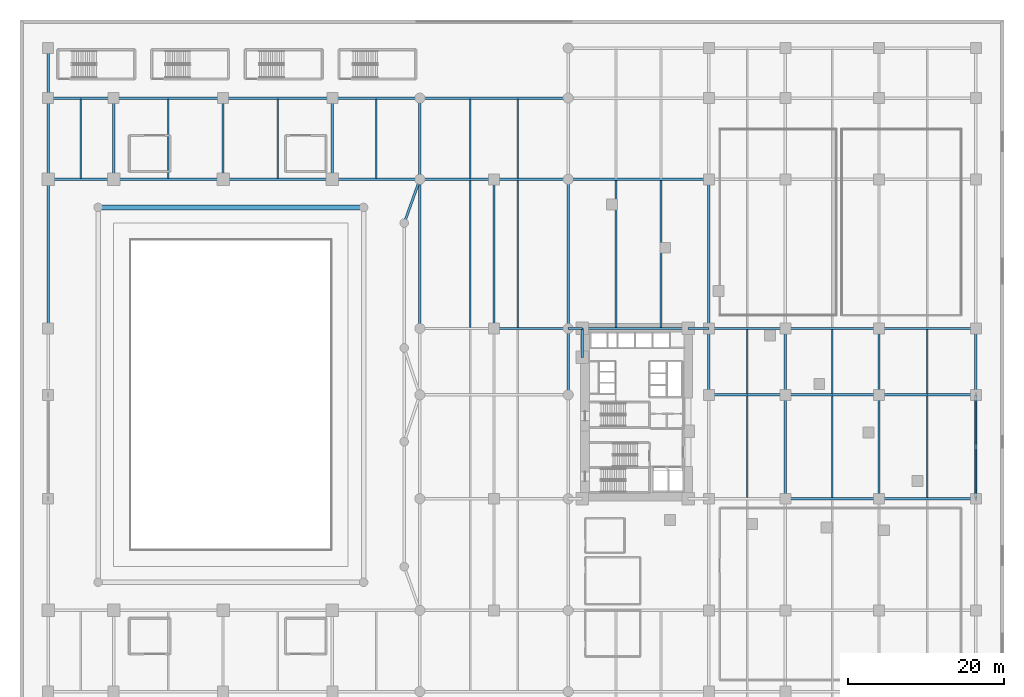
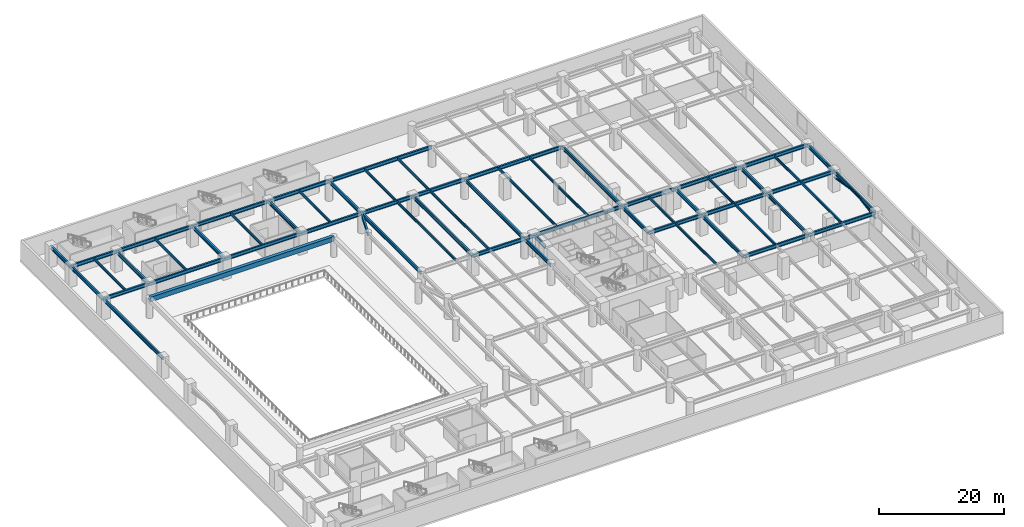
# One storey, part 3 of 25: 62 beams, 2 members.
"""IFC4 building model written with IfcOpenShell, lengths in metres."""

from ifc_helpers import new_model, si_unit, direction, frame, origin, origin_2d, place, context, subcontext, project, spatial, rectangle, hollow_circle, i_section, extrude, material, material_profile, profile_set, type_object, element, save


model = new_model("IFC4")

# Units and contexts
model_context = context("Model", 3, precision=1e-05, world=origin(), true_north=direction((0.0, 1.0)))
body_context = subcontext(model_context, "Body", "Model", "MODEL_VIEW")
ifc_project = project(units=[si_unit("LENGTHUNIT", "METRE"), si_unit("AREAUNIT", "SQUARE_METRE"), si_unit("VOLUMEUNIT", "CUBIC_METRE"), si_unit("PLANEANGLEUNIT", "RADIAN"), si_unit("MASSUNIT", "GRAM", prefix="KILO")], contexts=[model_context])

# Site, building, storey
site_placement = place(None, origin())
site = spatial("IfcSite", under=ifc_project, at=site_placement, CompositionType="ELEMENT")
building_placement = place(site_placement, origin())
building = spatial("IfcBuilding", under=site, at=building_placement, Name="Narakoshi Arena Tower", CompositionType="ELEMENT")
storey_placement = place(building_placement, frame((0.0, 0.0, 9.0)))
storey = spatial("IfcBuildingStorey", under=building, at=storey_placement, Name="L02", CompositionType="ELEMENT", Elevation=9.0)

# Beams
ifc_material_1 = material(Name="Structural steel S355J2", Category="steel")
ifc_material_profile_1 = material_profile(ifc_material_1, i_section(OverallWidth=0.300048828125, OverallDepth=0.699951171875, WebThickness=0.01708984375, FlangeThickness=0.031982421875, FilletRadius=0.027099609375, at=origin_2d()), Name="HE700B")
ifc_profile_set_1 = profile_set([ifc_material_profile_1], Name="Structural steel S355J2")
beam_type_1 = type_object("IfcBeamType", Name="BM-PRI-700", PredefinedType="BEAM", material=ifc_profile_set_1)
beam_1_placement = place(storey_placement, frame((49.199951171875, 70.0, 3.530029296875), z_axis=(0.336331195321, 0.94174376932, 0.0), x_axis=(-0.94174376932, 0.336331195321, 0.0)))
element("IfcBeam", 1, at=beam_1_placement, inside=storey, type_object=beam_type_1, Name="L02 Arena Foyer Tie Beam 04", PredefinedType="BEAM", context=body_context, shape_type="SweptSolid", body=[
    extrude(i_section(OverallWidth=0.300048828125, OverallDepth=0.699951171875, WebThickness=0.01708984375, FlangeThickness=0.031982421875, FilletRadius=0.027099609375, at=origin_2d()), origin(), (0.0, 0.0, 1.0), 5.946533203125),
])
beam_2_placement = place(storey_placement, frame((98.0, 34.699951171875, 3.530029296875), z_axis=(1.0, 0.0, 0.0), x_axis=(0.0, 1.0, 0.0)))
element("IfcBeam", 2, at=beam_2_placement, inside=storey, type_object=beam_type_1, Name="L02 Podium Primary X-Girder 029", PredefinedType="BEAM", context=body_context, shape_type="SweptSolid", body=[
    extrude(i_section(OverallWidth=0.300048828125, OverallDepth=0.699951171875, WebThickness=0.01708984375, FlangeThickness=0.031982421875, FilletRadius=0.027099609375, at=origin_2d()), origin(), (0.0, 0.0, 1.0), 12.0),
])
beam_3_placement = place(storey_placement, frame((110.0, 34.699951171875, 3.530029296875), z_axis=(1.0, 0.0, 0.0), x_axis=(0.0, 1.0, 0.0)))
element("IfcBeam", 3, at=beam_3_placement, inside=storey, type_object=beam_type_1, Name="L02 Podium Primary X-Girder 030", PredefinedType="BEAM", context=body_context, shape_type="SweptSolid", body=[
    extrude(i_section(OverallWidth=0.300048828125, OverallDepth=0.699951171875, WebThickness=0.01708984375, FlangeThickness=0.031982421875, FilletRadius=0.027099609375, at=origin_2d()), origin(), (0.0, 0.0, 1.0), 12.39990234375),
])
beam_4_placement = place(storey_placement, frame((88.199951171875, 48.0, 3.530029296875), z_axis=(1.0, 0.0, 0.0), x_axis=(0.0, 1.0, 0.0)))
element("IfcBeam", 4, at=beam_4_placement, inside=storey, type_object=beam_type_1, Name="L02 Podium Primary X-Girder 032", PredefinedType="BEAM", context=body_context, shape_type="SweptSolid", body=[
    extrude(i_section(OverallWidth=0.300048828125, OverallDepth=0.699951171875, WebThickness=0.01708984375, FlangeThickness=0.031982421875, FilletRadius=0.027099609375, at=origin_2d()), origin(), (0.0, 0.0, 1.0), 9.800048828125),
])
beam_5_placement = place(storey_placement, frame((98.0, 48.0, 3.530029296875), z_axis=(1.0, 0.0, 0.0), x_axis=(0.0, 1.0, 0.0)))
element("IfcBeam", 5, at=beam_5_placement, inside=storey, type_object=beam_type_1, Name="L02 Podium Primary X-Girder 033", PredefinedType="BEAM", context=body_context, shape_type="SweptSolid", body=[
    extrude(i_section(OverallWidth=0.300048828125, OverallDepth=0.699951171875, WebThickness=0.01708984375, FlangeThickness=0.031982421875, FilletRadius=0.027099609375, at=origin_2d()), origin(), (0.0, 0.0, 1.0), 12.0),
])
beam_6_placement = place(storey_placement, frame((110.0, 48.0, 3.530029296875), z_axis=(1.0, 0.0, 0.0), x_axis=(0.0, 1.0, 0.0)))
element("IfcBeam", 6, at=beam_6_placement, inside=storey, type_object=beam_type_1, Name="L02 Podium Primary X-Girder 034", PredefinedType="BEAM", context=body_context, shape_type="SweptSolid", body=[
    extrude(i_section(OverallWidth=0.300048828125, OverallDepth=0.699951171875, WebThickness=0.01708984375, FlangeThickness=0.031982421875, FilletRadius=0.027099609375, at=origin_2d()), origin(), (0.0, 0.0, 1.0), 12.39990234375),
])
beam_7_placement = place(storey_placement, frame((60.699951171875, 56.5, 3.530029296875), z_axis=(1.0, 0.0, 0.0), x_axis=(0.0, 1.0, 0.0)))
element("IfcBeam", 7, at=beam_7_placement, inside=storey, type_object=beam_type_1, Name="L02 Podium Primary X-Girder 036", PredefinedType="BEAM", context=body_context, shape_type="SweptSolid", body=[
    extrude(i_section(OverallWidth=0.300048828125, OverallDepth=0.699951171875, WebThickness=0.01708984375, FlangeThickness=0.031982421875, FilletRadius=0.027099609375, at=origin_2d()), origin(), (0.0, 0.0, 1.0), 9.5),
])
beam_8_placement = place(storey_placement, frame((70.199951171875, 56.5, 3.530029296875), z_axis=(1.0, 0.0, 0.0), x_axis=(0.0, 1.0, 0.0)))
element("IfcBeam", 8, at=beam_8_placement, inside=storey, type_object=beam_type_1, Name="L02 Podium Primary X-Girder 037", PredefinedType="BEAM", context=body_context, shape_type="SweptSolid", body=[
    extrude(i_section(OverallWidth=0.300048828125, OverallDepth=0.699951171875, WebThickness=0.01708984375, FlangeThickness=0.031982421875, FilletRadius=0.027099609375, at=origin_2d()), origin(), (0.0, 0.0, 1.0), 1.800048828125),
])
beam_9_placement = place(storey_placement, frame((72.0, 56.5, 3.530029296875), z_axis=(1.0, 0.0, 0.0), x_axis=(0.0, 1.0, 0.0)))
element("IfcBeam", 9, at=beam_9_placement, inside=storey, type_object=beam_type_1, Name="L02 Podium Primary X-Girder 038", PredefinedType="BEAM", context=body_context, shape_type="SweptSolid", body=[
    extrude(i_section(OverallWidth=0.300048828125, OverallDepth=0.699951171875, WebThickness=0.01708984375, FlangeThickness=0.031982421875, FilletRadius=0.027099609375, at=origin_2d()), origin(), (0.0, 0.0, 1.0), 13.550048828125),
])
beam_10_placement = place(storey_placement, frame((85.550048828125, 56.5, 3.530029296875), z_axis=(1.0, 0.0, 0.0), x_axis=(0.0, 1.0, 0.0)))
element("IfcBeam", 10, at=beam_10_placement, inside=storey, type_object=beam_type_1, Name="L02 Podium Primary X-Girder 039", PredefinedType="BEAM", context=body_context, shape_type="SweptSolid", body=[
    extrude(i_section(OverallWidth=0.300048828125, OverallDepth=0.699951171875, WebThickness=0.01708984375, FlangeThickness=0.031982421875, FilletRadius=0.027099609375, at=origin_2d()), origin(), (0.0, 0.0, 1.0), 2.64990234375),
])
beam_11_placement = place(storey_placement, frame((88.199951171875, 56.5, 3.530029296875), z_axis=(1.0, 0.0, 0.0), x_axis=(0.0, 1.0, 0.0)))
element("IfcBeam", 11, at=beam_11_placement, inside=storey, type_object=beam_type_1, Name="L02 Podium Primary X-Girder 040", PredefinedType="BEAM", context=body_context, shape_type="SweptSolid", body=[
    extrude(i_section(OverallWidth=0.300048828125, OverallDepth=0.699951171875, WebThickness=0.01708984375, FlangeThickness=0.031982421875, FilletRadius=0.027099609375, at=origin_2d()), origin(), (0.0, 0.0, 1.0), 9.800048828125),
])
beam_12_placement = place(storey_placement, frame((98.0, 56.5, 3.530029296875), z_axis=(1.0, 0.0, 0.0), x_axis=(0.0, 1.0, 0.0)))
element("IfcBeam", 12, at=beam_12_placement, inside=storey, type_object=beam_type_1, Name="L02 Podium Primary X-Girder 041", PredefinedType="BEAM", context=body_context, shape_type="SweptSolid", body=[
    extrude(i_section(OverallWidth=0.300048828125, OverallDepth=0.699951171875, WebThickness=0.01708984375, FlangeThickness=0.031982421875, FilletRadius=0.027099609375, at=origin_2d()), origin(), (0.0, 0.0, 1.0), 12.0),
])
beam_13_placement = place(storey_placement, frame((110.0, 56.5, 3.530029296875), z_axis=(1.0, 0.0, 0.0), x_axis=(0.0, 1.0, 0.0)))
element("IfcBeam", 13, at=beam_13_placement, inside=storey, type_object=beam_type_1, Name="L02 Podium Primary X-Girder 042", PredefinedType="BEAM", context=body_context, shape_type="SweptSolid", body=[
    extrude(i_section(OverallWidth=0.300048828125, OverallDepth=0.699951171875, WebThickness=0.01708984375, FlangeThickness=0.031982421875, FilletRadius=0.027099609375, at=origin_2d()), origin(), (0.0, 0.0, 1.0), 12.39990234375),
])
beam_14_placement = place(storey_placement, frame((3.60009765625, 75.60009765625, 3.530029296875), z_axis=(1.0, 0.0, 0.0), x_axis=(0.0, 1.0, 0.0)))
element("IfcBeam", 14, at=beam_14_placement, inside=storey, type_object=beam_type_1, Name="L02 Podium Primary X-Girder 043", PredefinedType="BEAM", context=body_context, shape_type="SweptSolid", body=[
    extrude(i_section(OverallWidth=0.300048828125, OverallDepth=0.699951171875, WebThickness=0.01708984375, FlangeThickness=0.031982421875, FilletRadius=0.027099609375, at=origin_2d()), origin(), (0.0, 0.0, 1.0), 8.39990234375),
])
for number, where, z_axis, x_axis, name in (
    (15, (12.0, 75.60009765625, 3.530029296875), (1.0, 0.0, 0.0), (0.0, 1.0, 0.0), "L02 Podium Primary X-Girder 044"),
    (16, (26.0, 75.60009765625, 3.530029296875), (1.0, 0.0, 0.0), (0.0, 1.0, 0.0), "L02 Podium Primary X-Girder 045"),
):
    element("IfcBeam", number, at=place(storey_placement, frame(where, z_axis=z_axis, x_axis=x_axis)), inside=storey, type_object=beam_type_1, Name=name, PredefinedType="BEAM", context=body_context, shape_type="SweptSolid", body=[
        extrude(i_section(OverallWidth=0.300048828125, OverallDepth=0.699951171875, WebThickness=0.01708984375, FlangeThickness=0.031982421875, FilletRadius=0.027099609375, at=origin_2d()), origin(), (0.0, 0.0, 1.0), 14.0),
    ])
beam_15_placement = place(storey_placement, frame((40.0, 75.60009765625, 3.530029296875), z_axis=(1.0, 0.0, 0.0), x_axis=(0.0, 1.0, 0.0)))
element("IfcBeam", 17, at=beam_15_placement, inside=storey, type_object=beam_type_1, Name="L02 Podium Primary X-Girder 046", PredefinedType="BEAM", context=body_context, shape_type="SweptSolid", body=[
    extrude(i_section(OverallWidth=0.300048828125, OverallDepth=0.699951171875, WebThickness=0.01708984375, FlangeThickness=0.031982421875, FilletRadius=0.027099609375, at=origin_2d()), origin(), (0.0, 0.0, 1.0), 11.199951171875),
])
for number, where, z_axis, x_axis, name in (
    (18, (51.199951171875, 75.60009765625, 3.530029296875), (1.0, 0.0, 0.0), (0.0, 1.0, 0.0), "L02 Podium Primary X-Girder 047"),
    (19, (60.699951171875, 75.60009765625, 3.530029296875), (1.0, 0.0, 0.0), (0.0, 1.0, 0.0), "L02 Podium Primary X-Girder 048"),
):
    element("IfcBeam", number, at=place(storey_placement, frame(where, z_axis=z_axis, x_axis=x_axis)), inside=storey, type_object=beam_type_1, Name=name, PredefinedType="BEAM", context=body_context, shape_type="SweptSolid", body=[
        extrude(i_section(OverallWidth=0.300048828125, OverallDepth=0.699951171875, WebThickness=0.01708984375, FlangeThickness=0.031982421875, FilletRadius=0.027099609375, at=origin_2d()), origin(), (0.0, 0.0, 1.0), 9.5),
    ])
beam_16_placement = place(storey_placement, frame((70.199951171875, 75.60009765625, 3.530029296875), z_axis=(1.0, 0.0, 0.0), x_axis=(0.0, 1.0, 0.0)))
element("IfcBeam", 20, at=beam_16_placement, inside=storey, type_object=beam_type_1, Name="L02 Podium Primary X-Girder 049", PredefinedType="BEAM", context=body_context, shape_type="SweptSolid", body=[
    extrude(i_section(OverallWidth=0.300048828125, OverallDepth=0.699951171875, WebThickness=0.01708984375, FlangeThickness=0.031982421875, FilletRadius=0.027099609375, at=origin_2d()), origin(), (0.0, 0.0, 1.0), 18.0),
])
beam_17_placement = place(storey_placement, frame((3.60009765625, 86.0, 3.530029296875), z_axis=(1.0, 0.0, 0.0), x_axis=(0.0, 1.0, 0.0)))
element("IfcBeam", 21, at=beam_17_placement, inside=storey, type_object=beam_type_1, Name="L02 Podium Primary X-Girder 053", PredefinedType="BEAM", context=body_context, shape_type="SweptSolid", body=[
    extrude(i_section(OverallWidth=0.300048828125, OverallDepth=0.699951171875, WebThickness=0.01708984375, FlangeThickness=0.031982421875, FilletRadius=0.027099609375, at=origin_2d()), origin(), (0.0, 0.0, 1.0), 8.39990234375),
])
for number, where, z_axis, x_axis, name in (
    (22, (12.0, 86.0, 3.530029296875), (1.0, 0.0, 0.0), (0.0, 1.0, 0.0), "L02 Podium Primary X-Girder 054"),
    (23, (26.0, 86.0, 3.530029296875), (1.0, 0.0, 0.0), (0.0, 1.0, 0.0), "L02 Podium Primary X-Girder 055"),
):
    element("IfcBeam", number, at=place(storey_placement, frame(where, z_axis=z_axis, x_axis=x_axis)), inside=storey, type_object=beam_type_1, Name=name, PredefinedType="BEAM", context=body_context, shape_type="SweptSolid", body=[
        extrude(i_section(OverallWidth=0.300048828125, OverallDepth=0.699951171875, WebThickness=0.01708984375, FlangeThickness=0.031982421875, FilletRadius=0.027099609375, at=origin_2d()), origin(), (0.0, 0.0, 1.0), 14.0),
    ])
beam_18_placement = place(storey_placement, frame((40.0, 86.0, 3.530029296875), z_axis=(1.0, 0.0, 0.0), x_axis=(0.0, 1.0, 0.0)))
element("IfcBeam", 24, at=beam_18_placement, inside=storey, type_object=beam_type_1, Name="L02 Podium Primary X-Girder 056", PredefinedType="BEAM", context=body_context, shape_type="SweptSolid", body=[
    extrude(i_section(OverallWidth=0.300048828125, OverallDepth=0.699951171875, WebThickness=0.01708984375, FlangeThickness=0.031982421875, FilletRadius=0.027099609375, at=origin_2d()), origin(), (0.0, 0.0, 1.0), 11.199951171875),
])
beam_19_placement = place(storey_placement, frame((51.199951171875, 86.0, 3.530029296875), z_axis=(1.0, 0.0, 0.0), x_axis=(0.0, 1.0, 0.0)))
element("IfcBeam", 25, at=beam_19_placement, inside=storey, type_object=beam_type_1, Name="L02 Podium Primary X-Girder 057", PredefinedType="BEAM", context=body_context, shape_type="SweptSolid", body=[
    extrude(i_section(OverallWidth=0.300048828125, OverallDepth=0.699951171875, WebThickness=0.01708984375, FlangeThickness=0.031982421875, FilletRadius=0.027099609375, at=origin_2d()), origin(), (0.0, 0.0, 1.0), 19.0),
])
beam_20_placement = place(storey_placement, frame((3.60009765625, 56.5, 3.530029296875), z_axis=(0.0, 1.0, 0.0), x_axis=(-1.0, 0.0, 0.0)))
element("IfcBeam", 26, at=beam_20_placement, inside=storey, type_object=beam_type_1, Name="L02 Podium Primary Y-Girder 071", PredefinedType="BEAM", context=body_context, shape_type="SweptSolid", body=[
    extrude(i_section(OverallWidth=0.300048828125, OverallDepth=0.699951171875, WebThickness=0.01708984375, FlangeThickness=0.031982421875, FilletRadius=0.027099609375, at=origin_2d()), origin(), (0.0, 0.0, 1.0), 19.10009765625),
])
beam_21_placement = place(storey_placement, frame((3.60009765625, 75.60009765625, 3.530029296875), z_axis=(0.0, 1.0, 0.0), x_axis=(-1.0, 0.0, 0.0)))
element("IfcBeam", 27, at=beam_21_placement, inside=storey, type_object=beam_type_1, Name="L02 Podium Primary Y-Girder 072", PredefinedType="BEAM", context=body_context, shape_type="SweptSolid", body=[
    extrude(i_section(OverallWidth=0.300048828125, OverallDepth=0.699951171875, WebThickness=0.01708984375, FlangeThickness=0.031982421875, FilletRadius=0.027099609375, at=origin_2d()), origin(), (0.0, 0.0, 1.0), 10.39990234375),
])
beam_22_placement = place(storey_placement, frame((3.60009765625, 86.0, 3.530029296875), z_axis=(0.0, 1.0, 0.0), x_axis=(-1.0, 0.0, 0.0)))
element("IfcBeam", 28, at=beam_22_placement, inside=storey, type_object=beam_type_1, Name="L02 Podium Primary Y-Girder 073", PredefinedType="BEAM", context=body_context, shape_type="SweptSolid", body=[
    extrude(i_section(OverallWidth=0.300048828125, OverallDepth=0.699951171875, WebThickness=0.01708984375, FlangeThickness=0.031982421875, FilletRadius=0.027099609375, at=origin_2d()), origin(), (0.0, 0.0, 1.0), 6.39990234375),
])
for number, where, z_axis, x_axis, name in (
    (29, (12.0, 75.60009765625, 3.530029296875), (0.0, 1.0, 0.0), (-1.0, 0.0, 0.0), "L02 Podium Primary Y-Girder 075"),
    (30, (26.0, 75.60009765625, 3.530029296875), (0.0, 1.0, 0.0), (-1.0, 0.0, 0.0), "L02 Podium Primary Y-Girder 077"),
    (31, (40.0, 75.60009765625, 3.530029296875), (0.0, 1.0, 0.0), (-1.0, 0.0, 0.0), "L02 Podium Primary Y-Girder 079"),
):
    element("IfcBeam", number, at=place(storey_placement, frame(where, z_axis=z_axis, x_axis=x_axis)), inside=storey, type_object=beam_type_1, Name=name, PredefinedType="BEAM", context=body_context, shape_type="SweptSolid", body=[
        extrude(i_section(OverallWidth=0.300048828125, OverallDepth=0.699951171875, WebThickness=0.01708984375, FlangeThickness=0.031982421875, FilletRadius=0.027099609375, at=origin_2d()), origin(), (0.0, 0.0, 1.0), 10.39990234375),
    ])
beam_23_placement = place(storey_placement, frame((51.199951171875, 56.5, 3.530029296875), z_axis=(0.0, 1.0, 0.0), x_axis=(-1.0, 0.0, 0.0)))
element("IfcBeam", 32, at=beam_23_placement, inside=storey, type_object=beam_type_1, Name="L02 Podium Primary Y-Girder 084", PredefinedType="BEAM", context=body_context, shape_type="SweptSolid", body=[
    extrude(i_section(OverallWidth=0.300048828125, OverallDepth=0.699951171875, WebThickness=0.01708984375, FlangeThickness=0.031982421875, FilletRadius=0.027099609375, at=origin_2d()), origin(), (0.0, 0.0, 1.0), 19.10009765625),
])
beam_24_placement = place(storey_placement, frame((51.199951171875, 75.60009765625, 3.530029296875), z_axis=(0.0, 1.0, 0.0), x_axis=(-1.0, 0.0, 0.0)))
element("IfcBeam", 33, at=beam_24_placement, inside=storey, type_object=beam_type_1, Name="L02 Podium Primary Y-Girder 085", PredefinedType="BEAM", context=body_context, shape_type="SweptSolid", body=[
    extrude(i_section(OverallWidth=0.300048828125, OverallDepth=0.699951171875, WebThickness=0.01708984375, FlangeThickness=0.031982421875, FilletRadius=0.027099609375, at=origin_2d()), origin(), (0.0, 0.0, 1.0), 10.39990234375),
])
beam_25_placement = place(storey_placement, frame((60.699951171875, 56.5, 3.530029296875), z_axis=(0.0, 1.0, 0.0), x_axis=(-1.0, 0.0, 0.0)))
element("IfcBeam", 34, at=beam_25_placement, inside=storey, type_object=beam_type_1, Name="L02 Podium Primary Y-Girder 088", PredefinedType="BEAM", context=body_context, shape_type="SweptSolid", body=[
    extrude(i_section(OverallWidth=0.300048828125, OverallDepth=0.699951171875, WebThickness=0.01708984375, FlangeThickness=0.031982421875, FilletRadius=0.027099609375, at=origin_2d()), origin(), (0.0, 0.0, 1.0), 19.10009765625),
])
beam_26_placement = place(storey_placement, frame((70.199951171875, 48.0, 3.530029296875), z_axis=(0.0, 1.0, 0.0), x_axis=(-1.0, 0.0, 0.0)))
element("IfcBeam", 35, at=beam_26_placement, inside=storey, type_object=beam_type_1, Name="L02 Podium Primary Y-Girder 093", PredefinedType="BEAM", context=body_context, shape_type="SweptSolid", body=[
    extrude(i_section(OverallWidth=0.300048828125, OverallDepth=0.699951171875, WebThickness=0.01708984375, FlangeThickness=0.031982421875, FilletRadius=0.027099609375, at=origin_2d()), origin(), (0.0, 0.0, 1.0), 8.5),
])
beam_27_placement = place(storey_placement, frame((70.199951171875, 56.5, 3.530029296875), z_axis=(0.0, 1.0, 0.0), x_axis=(-1.0, 0.0, 0.0)))
element("IfcBeam", 36, at=beam_27_placement, inside=storey, type_object=beam_type_1, Name="L02 Podium Primary Y-Girder 094", PredefinedType="BEAM", context=body_context, shape_type="SweptSolid", body=[
    extrude(i_section(OverallWidth=0.300048828125, OverallDepth=0.699951171875, WebThickness=0.01708984375, FlangeThickness=0.031982421875, FilletRadius=0.027099609375, at=origin_2d()), origin(), (0.0, 0.0, 1.0), 19.10009765625),
])
beam_28_placement = place(storey_placement, frame((72.0, 52.800048828125, 3.530029296875), z_axis=(0.0, 1.0, 0.0), x_axis=(-1.0, 0.0, 0.0)))
element("IfcBeam", 37, at=beam_28_placement, inside=storey, type_object=beam_type_1, Name="L02 Podium Primary Y-Girder 097", PredefinedType="BEAM", context=body_context, shape_type="SweptSolid", body=[
    extrude(i_section(OverallWidth=0.300048828125, OverallDepth=0.699951171875, WebThickness=0.01708984375, FlangeThickness=0.031982421875, FilletRadius=0.027099609375, at=origin_2d()), origin(), (0.0, 0.0, 1.0), 3.699951171875),
])
beam_29_placement = place(storey_placement, frame((88.199951171875, 48.0, 3.530029296875), z_axis=(0.0, 1.0, 0.0), x_axis=(-1.0, 0.0, 0.0)))
element("IfcBeam", 38, at=beam_29_placement, inside=storey, type_object=beam_type_1, Name="L02 Podium Primary Y-Girder 102", PredefinedType="BEAM", context=body_context, shape_type="SweptSolid", body=[
    extrude(i_section(OverallWidth=0.300048828125, OverallDepth=0.699951171875, WebThickness=0.01708984375, FlangeThickness=0.031982421875, FilletRadius=0.027099609375, at=origin_2d()), origin(), (0.0, 0.0, 1.0), 8.5),
])
beam_30_placement = place(storey_placement, frame((88.199951171875, 56.5, 3.530029296875), z_axis=(0.0, 1.0, 0.0), x_axis=(-1.0, 0.0, 0.0)))
element("IfcBeam", 39, at=beam_30_placement, inside=storey, type_object=beam_type_1, Name="L02 Podium Primary Y-Girder 103", PredefinedType="BEAM", context=body_context, shape_type="SweptSolid", body=[
    extrude(i_section(OverallWidth=0.300048828125, OverallDepth=0.699951171875, WebThickness=0.01708984375, FlangeThickness=0.031982421875, FilletRadius=0.027099609375, at=origin_2d()), origin(), (0.0, 0.0, 1.0), 19.10009765625),
])
beam_31_placement = place(storey_placement, frame((98.0, 34.699951171875, 3.530029296875), z_axis=(0.0, 1.0, 0.0), x_axis=(-1.0, 0.0, 0.0)))
element("IfcBeam", 40, at=beam_31_placement, inside=storey, type_object=beam_type_1, Name="L02 Podium Primary Y-Girder 109", PredefinedType="BEAM", context=body_context, shape_type="SweptSolid", body=[
    extrude(i_section(OverallWidth=0.300048828125, OverallDepth=0.699951171875, WebThickness=0.01708984375, FlangeThickness=0.031982421875, FilletRadius=0.027099609375, at=origin_2d()), origin(), (0.0, 0.0, 1.0), 13.300048828125),
])
beam_32_placement = place(storey_placement, frame((98.0, 48.0, 3.530029296875), z_axis=(0.0, 1.0, 0.0), x_axis=(-1.0, 0.0, 0.0)))
element("IfcBeam", 41, at=beam_32_placement, inside=storey, type_object=beam_type_1, Name="L02 Podium Primary Y-Girder 110", PredefinedType="BEAM", context=body_context, shape_type="SweptSolid", body=[
    extrude(i_section(OverallWidth=0.300048828125, OverallDepth=0.699951171875, WebThickness=0.01708984375, FlangeThickness=0.031982421875, FilletRadius=0.027099609375, at=origin_2d()), origin(), (0.0, 0.0, 1.0), 8.5),
])
beam_33_placement = place(storey_placement, frame((110.0, 34.699951171875, 3.530029296875), z_axis=(0.0, 1.0, 0.0), x_axis=(-1.0, 0.0, 0.0)))
element("IfcBeam", 42, at=beam_33_placement, inside=storey, type_object=beam_type_1, Name="L02 Podium Primary Y-Girder 117", PredefinedType="BEAM", context=body_context, shape_type="SweptSolid", body=[
    extrude(i_section(OverallWidth=0.300048828125, OverallDepth=0.699951171875, WebThickness=0.01708984375, FlangeThickness=0.031982421875, FilletRadius=0.027099609375, at=origin_2d()), origin(), (0.0, 0.0, 1.0), 13.300048828125),
])
beam_34_placement = place(storey_placement, frame((110.0, 48.0, 3.530029296875), z_axis=(0.0, 1.0, 0.0), x_axis=(-1.0, 0.0, 0.0)))
element("IfcBeam", 43, at=beam_34_placement, inside=storey, type_object=beam_type_1, Name="L02 Podium Primary Y-Girder 118", PredefinedType="BEAM", context=body_context, shape_type="SweptSolid", body=[
    extrude(i_section(OverallWidth=0.300048828125, OverallDepth=0.699951171875, WebThickness=0.01708984375, FlangeThickness=0.031982421875, FilletRadius=0.027099609375, at=origin_2d()), origin(), (0.0, 0.0, 1.0), 8.5),
])
beam_35_placement = place(storey_placement, frame((122.39990234375, 34.699951171875, 3.530029296875), z_axis=(0.0, 1.0, 0.0), x_axis=(-1.0, 0.0, 0.0)))
element("IfcBeam", 44, at=beam_35_placement, inside=storey, type_object=beam_type_1, Name="L02 Podium Primary Y-Girder 125", PredefinedType="BEAM", context=body_context, shape_type="SweptSolid", body=[
    extrude(i_section(OverallWidth=0.300048828125, OverallDepth=0.699951171875, WebThickness=0.01708984375, FlangeThickness=0.031982421875, FilletRadius=0.027099609375, at=origin_2d()), origin(), (0.0, 0.0, 1.0), 13.300048828125),
])
beam_36_placement = place(storey_placement, frame((122.39990234375, 48.0, 3.530029296875), z_axis=(0.0, 1.0, 0.0), x_axis=(-1.0, 0.0, 0.0)))
element("IfcBeam", 45, at=beam_36_placement, inside=storey, type_object=beam_type_1, Name="L02 Podium Primary Y-Girder 126", PredefinedType="BEAM", context=body_context, shape_type="SweptSolid", body=[
    extrude(i_section(OverallWidth=0.300048828125, OverallDepth=0.699951171875, WebThickness=0.01708984375, FlangeThickness=0.031982421875, FilletRadius=0.027099609375, at=origin_2d()), origin(), (0.0, 0.0, 1.0), 8.5),
])
ifc_material_2 = material(Name="Concrete C50/60", Category="concrete")
ifc_material_profile_2 = material_profile(ifc_material_2, rectangle(XDim=0.60009765625, YDim=0.89990234375, at=origin_2d()), Name="RCB600x900")
ifc_profile_set_2 = profile_set([ifc_material_profile_2], Name="Concrete C50/60")
beam_type_2 = type_object("IfcBeamType", Name="BM-RC-900", PredefinedType="BEAM", material=ifc_profile_set_2)
beam_37_placement = place(storey_placement, frame((44.0, 72.0, 3.469970703125), z_axis=(-1.0, 0.0, 0.0), x_axis=(0.0, -1.0, 0.0)))
element("IfcBeam", 46, at=beam_37_placement, inside=storey, type_object=beam_type_2, Name="L02 Arena Bowl Concrete Ring Beam 3", PredefinedType="BEAM", context=body_context, shape_type="SweptSolid", body=[
    extrude(rectangle(XDim=0.60009765625, YDim=0.89990234375, at=origin_2d()), origin(), (0.0, 0.0, 1.0), 34.0),
])
ifc_material_profile_3 = material_profile(ifc_material_1, i_section(OverallWidth=0.199951171875, OverallDepth=0.5, WebThickness=0.01025390625, FlangeThickness=0.01611328125, FilletRadius=0.02099609375, at=origin_2d()), Name="IPE500")
ifc_profile_set_3 = profile_set([ifc_material_profile_3], Name="Structural steel S355J2")
beam_type_3 = type_object("IfcBeamType", Name="BM-SEC-500", PredefinedType="JOIST", material=ifc_profile_set_3)
for number, where, z_axis, x_axis, name in (
    (47, (7.800048828125, 75.735107421875, 3.6298828125), (0.0, 1.0, 0.0), (-1.0, 0.0, 0.0), "L02 Podium Composite Floor Joist 002"),
    (48, (19.0, 75.735107421875, 3.6298828125), (0.0, 1.0, 0.0), (-1.0, 0.0, 0.0), "L02 Podium Composite Floor Joist 004"),
    (49, (33.0, 75.735107421875, 3.6298828125), (0.0, 1.0, 0.0), (-1.0, 0.0, 0.0), "L02 Podium Composite Floor Joist 006"),
    (50, (45.60009765625, 75.735107421875, 3.6298828125), (0.0, 1.0, 0.0), (-1.0, 0.0, 0.0), "L02 Podium Composite Floor Joist 008"),
):
    element("IfcBeam", number, at=place(storey_placement, frame(where, z_axis=z_axis, x_axis=x_axis)), inside=storey, type_object=beam_type_3, Name=name, PredefinedType="JOIST", context=body_context, shape_type="SweptSolid", body=[
        extrude(i_section(OverallWidth=0.199951171875, OverallDepth=0.5, WebThickness=0.01025390625, FlangeThickness=0.01611328125, FilletRadius=0.02099609375, at=origin_2d()), origin(), (0.0, 0.0, 1.0), 10.1298828125),
    ])
beam_38_placement = place(storey_placement, frame((57.659912109375, 56.635009765625, 3.6298828125), z_axis=(0.0, 1.0, 0.0), x_axis=(-1.0, 0.0, 0.0)))
element("IfcBeam", 51, at=beam_38_placement, inside=storey, type_object=beam_type_3, Name="L02 Podium Composite Floor Joist 013", PredefinedType="JOIST", context=body_context, shape_type="SweptSolid", body=[
    extrude(i_section(OverallWidth=0.199951171875, OverallDepth=0.5, WebThickness=0.01025390625, FlangeThickness=0.01611328125, FilletRadius=0.02099609375, at=origin_2d()), origin(), (0.0, 0.0, 1.0), 18.830078125),
])
beam_39_placement = place(storey_placement, frame((57.659912109375, 75.735107421875, 3.6298828125), z_axis=(0.0, 1.0, 0.0), x_axis=(-1.0, 0.0, 0.0)))
element("IfcBeam", 52, at=beam_39_placement, inside=storey, type_object=beam_type_3, Name="L02 Podium Composite Floor Joist 014", PredefinedType="JOIST", context=body_context, shape_type="SweptSolid", body=[
    extrude(i_section(OverallWidth=0.199951171875, OverallDepth=0.5, WebThickness=0.01025390625, FlangeThickness=0.01611328125, FilletRadius=0.02099609375, at=origin_2d()), origin(), (0.0, 0.0, 1.0), 10.1298828125),
])
beam_40_placement = place(storey_placement, frame((63.739990234375, 56.635009765625, 3.6298828125), z_axis=(0.0, 1.0, 0.0), x_axis=(-1.0, 0.0, 0.0)))
element("IfcBeam", 53, at=beam_40_placement, inside=storey, type_object=beam_type_3, Name="L02 Podium Composite Floor Joist 019", PredefinedType="JOIST", context=body_context, shape_type="SweptSolid", body=[
    extrude(i_section(OverallWidth=0.199951171875, OverallDepth=0.5, WebThickness=0.01025390625, FlangeThickness=0.01611328125, FilletRadius=0.02099609375, at=origin_2d()), origin(), (0.0, 0.0, 1.0), 18.830078125),
])
beam_41_placement = place(storey_placement, frame((63.739990234375, 75.735107421875, 3.6298828125), z_axis=(0.0, 1.0, 0.0), x_axis=(-1.0, 0.0, 0.0)))
element("IfcBeam", 54, at=beam_41_placement, inside=storey, type_object=beam_type_3, Name="L02 Podium Composite Floor Joist 020", PredefinedType="JOIST", context=body_context, shape_type="SweptSolid", body=[
    extrude(i_section(OverallWidth=0.199951171875, OverallDepth=0.5, WebThickness=0.01025390625, FlangeThickness=0.01611328125, FilletRadius=0.02099609375, at=origin_2d()), origin(), (0.0, 0.0, 1.0), 10.1298828125),
])
for number, where, z_axis, x_axis, name in (
    (55, (76.320068359375, 56.635009765625, 3.6298828125), (0.0, 1.0, 0.0), (-1.0, 0.0, 0.0), "L02 Podium Composite Floor Joist 023"),
    (56, (82.080078125, 56.635009765625, 3.6298828125), (0.0, 1.0, 0.0), (-1.0, 0.0, 0.0), "L02 Podium Composite Floor Joist 028"),
):
    element("IfcBeam", number, at=place(storey_placement, frame(where, z_axis=z_axis, x_axis=x_axis)), inside=storey, type_object=beam_type_3, Name=name, PredefinedType="JOIST", context=body_context, shape_type="SweptSolid", body=[
        extrude(i_section(OverallWidth=0.199951171875, OverallDepth=0.5, WebThickness=0.01025390625, FlangeThickness=0.01611328125, FilletRadius=0.02099609375, at=origin_2d()), origin(), (0.0, 0.0, 1.0), 18.830078125),
    ])
beam_42_placement = place(storey_placement, frame((93.10009765625, 34.8349609375, 3.6298828125), z_axis=(0.0, 1.0, 0.0), x_axis=(-1.0, 0.0, 0.0)))
element("IfcBeam", 57, at=beam_42_placement, inside=storey, type_object=beam_type_3, Name="L02 Podium Composite Floor Joist 034", PredefinedType="JOIST", context=body_context, shape_type="SweptSolid", body=[
    extrude(i_section(OverallWidth=0.199951171875, OverallDepth=0.5, WebThickness=0.01025390625, FlangeThickness=0.01611328125, FilletRadius=0.02099609375, at=origin_2d()), origin(), (0.0, 0.0, 1.0), 13.030029296875),
])
beam_43_placement = place(storey_placement, frame((93.10009765625, 48.135009765625, 3.6298828125), z_axis=(0.0, 1.0, 0.0), x_axis=(-1.0, 0.0, 0.0)))
element("IfcBeam", 58, at=beam_43_placement, inside=storey, type_object=beam_type_3, Name="L02 Podium Composite Floor Joist 035", PredefinedType="JOIST", context=body_context, shape_type="SweptSolid", body=[
    extrude(i_section(OverallWidth=0.199951171875, OverallDepth=0.5, WebThickness=0.01025390625, FlangeThickness=0.01611328125, FilletRadius=0.02099609375, at=origin_2d()), origin(), (0.0, 0.0, 1.0), 8.22998046875),
])
beam_44_placement = place(storey_placement, frame((104.0, 34.8349609375, 3.6298828125), z_axis=(0.0, 1.0, 0.0), x_axis=(-1.0, 0.0, 0.0)))
element("IfcBeam", 59, at=beam_44_placement, inside=storey, type_object=beam_type_3, Name="L02 Podium Composite Floor Joist 042", PredefinedType="JOIST", context=body_context, shape_type="SweptSolid", body=[
    extrude(i_section(OverallWidth=0.199951171875, OverallDepth=0.5, WebThickness=0.01025390625, FlangeThickness=0.01611328125, FilletRadius=0.02099609375, at=origin_2d()), origin(), (0.0, 0.0, 1.0), 13.030029296875),
])
beam_45_placement = place(storey_placement, frame((104.0, 48.135009765625, 3.6298828125), z_axis=(0.0, 1.0, 0.0), x_axis=(-1.0, 0.0, 0.0)))
element("IfcBeam", 60, at=beam_45_placement, inside=storey, type_object=beam_type_3, Name="L02 Podium Composite Floor Joist 043", PredefinedType="JOIST", context=body_context, shape_type="SweptSolid", body=[
    extrude(i_section(OverallWidth=0.199951171875, OverallDepth=0.5, WebThickness=0.01025390625, FlangeThickness=0.01611328125, FilletRadius=0.02099609375, at=origin_2d()), origin(), (0.0, 0.0, 1.0), 8.22998046875),
])
beam_46_placement = place(storey_placement, frame((116.199951171875, 34.8349609375, 3.6298828125), z_axis=(0.0, 1.0, 0.0), x_axis=(-1.0, 0.0, 0.0)))
element("IfcBeam", 61, at=beam_46_placement, inside=storey, type_object=beam_type_3, Name="L02 Podium Composite Floor Joist 050", PredefinedType="JOIST", context=body_context, shape_type="SweptSolid", body=[
    extrude(i_section(OverallWidth=0.199951171875, OverallDepth=0.5, WebThickness=0.01025390625, FlangeThickness=0.01611328125, FilletRadius=0.02099609375, at=origin_2d()), origin(), (0.0, 0.0, 1.0), 13.030029296875),
])
beam_47_placement = place(storey_placement, frame((116.199951171875, 48.135009765625, 3.6298828125), z_axis=(0.0, 1.0, 0.0), x_axis=(-1.0, 0.0, 0.0)))
element("IfcBeam", 62, at=beam_47_placement, inside=storey, type_object=beam_type_3, Name="L02 Podium Composite Floor Joist 051", PredefinedType="JOIST", context=body_context, shape_type="SweptSolid", body=[
    extrude(i_section(OverallWidth=0.199951171875, OverallDepth=0.5, WebThickness=0.01025390625, FlangeThickness=0.01611328125, FilletRadius=0.02099609375, at=origin_2d()), origin(), (0.0, 0.0, 1.0), 8.22998046875),
])

# Members
ifc_material_profile_4 = material_profile(ifc_material_1, hollow_circle(Radius=0.161865234375, WallThickness=0.012451171875, at=origin_2d()), Name="CHS323x12")
ifc_profile_set_4 = profile_set([ifc_material_profile_4], Name="Structural steel S355J2")
member_type = type_object("IfcMemberType", Name="MEM-BR-323", PredefinedType="BRACE", material=ifc_profile_set_4)
member_1_placement = place(storey_placement, frame((122.39990234375, 34.699951171875, 2.39990234375), z_axis=(0.0, 0.985865592428, 0.167538155855), x_axis=(-1.0, 0.0, 0.0)))
element("IfcMember", 63, at=member_1_placement, inside=storey, type_object=member_type, Name="L02 Podium Lateral Brace 2A", PredefinedType="BRACE", context=body_context, shape_type="SweptSolid", body=[
    extrude(hollow_circle(Radius=0.161865234375, WallThickness=0.012451171875, at=origin_2d()), origin(), (0.0, 0.0, 1.0), 6.74560546875),
])
member_2_placement = place(storey_placement, frame((122.39990234375, 48.0, 2.39990234375), z_axis=(0.0, -0.985864576466, 0.167544134094), x_axis=(1.0, 0.0, 0.0)))
element("IfcMember", 64, at=member_2_placement, inside=storey, type_object=member_type, Name="L02 Podium Lateral Brace 2B", PredefinedType="BRACE", context=body_context, shape_type="SweptSolid", body=[
    extrude(hollow_circle(Radius=0.161865234375, WallThickness=0.012451171875, at=origin_2d()), origin(), (0.0, 0.0, 1.0), 6.745361328125),
])

save(model, "model.ifc")
